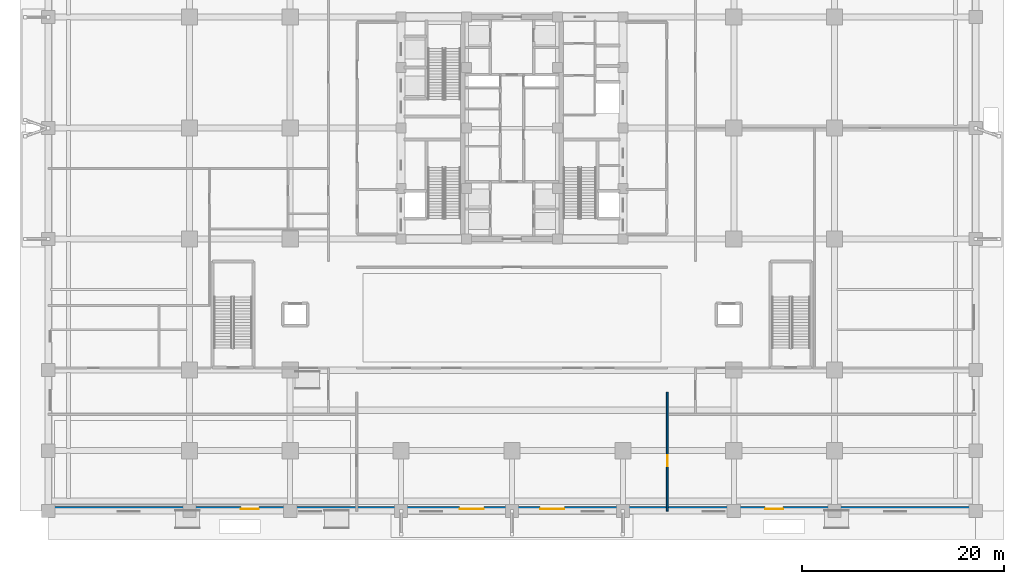
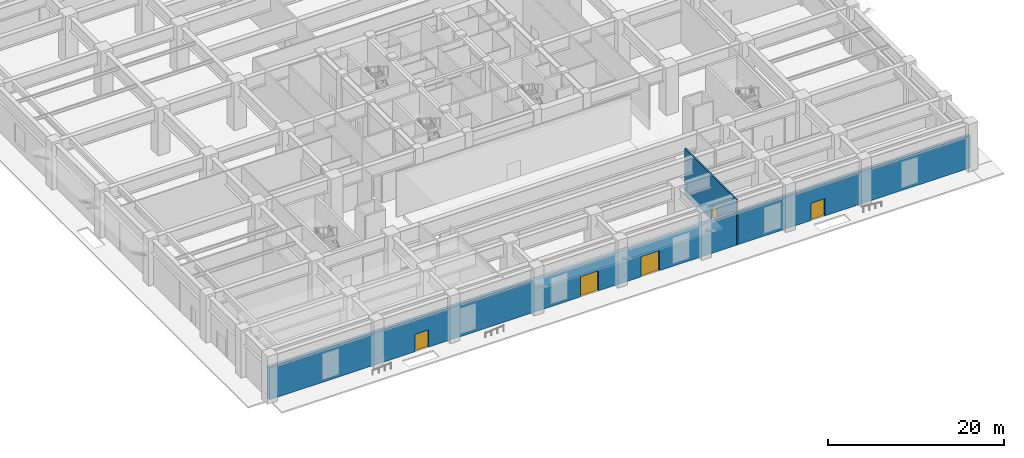
# One storey, part 7 of 21: 5 doors, 2 walls, 5 openings.
"""IFC4 building model written with IfcOpenShell, lengths in metres."""

import ifcopenshell
import ifcopenshell.guid

model = None  # the IFC model being written
_history = None  # IfcOwnerHistory: only IFC2X3 demands one
_inside = {}  # id of a spatial element -> (the spatial element, [elements in it])
_under = {}  # id of a project, library or spatial element -> (it, [spatial elements below it])
_declared = {}  # id of a project -> (the project, [libraries it declares])
_typed = {}  # id of a type object -> (the type object, [elements of that type])
_made_of = {}  # id of a material, layer set ... -> (it, [elements and type objects made of it])


def new_model(schema):
    """Start an empty IFC model of exactly this schema.

    Asked for "IFC4X3", IfcOpenShell would pick the latest addendum, in which some entities
    have other attributes; the version numbers below select the first issue.
    IFC2X3 requires an IfcOwnerHistory on every rooted entity: one is made here for all.
    """
    global model, _history
    if schema == "IFC4X3":
        model = ifcopenshell.file(schema_version=(4, 3, 0, 0))
    else:
        model = ifcopenshell.file(schema=schema)
    _inside.clear()
    _under.clear()
    _declared.clear()
    _typed.clear()
    _made_of.clear()
    _history = None
    if model.schema == "IFC2X3":
        org = make("IfcOrganization", Name="unknown")
        user = make(
            "IfcPersonAndOrganization",
            ThePerson=make("IfcPerson", FamilyName="unknown"),
            TheOrganization=org,
        )
        app = make(
            "IfcApplication",
            ApplicationDeveloper=org,
            Version="unknown",
            ApplicationFullName="unknown",
            ApplicationIdentifier="unknown",
        )
        _history = make(
            "IfcOwnerHistory",
            OwningUser=user,
            OwningApplication=app,
            ChangeAction="ADDED",
            CreationDate=0,
        )
    return model


def make(cls, **values):
    """One entity of the class cls with the attributes given. An attribute that is None is left unset."""
    return model.create_entity(
        cls, **{name: value for name, value in values.items() if value is not None}
    )


def rooted(cls, **values):
    """An entity with a GlobalId (a new one), such as an element, a storey or a relation."""
    return make(cls, GlobalId=ifcopenshell.guid.new(), OwnerHistory=_history, **values)


def si_unit(unit_type, name, prefix=None):
    """IfcSIUnit, for example si_unit("LENGTHUNIT", "METRE", prefix="MILLI")."""
    return make("IfcSIUnit", UnitType=unit_type, Prefix=prefix, Name=name)


def assignment(units):
    """IfcUnitAssignment: the units of a project."""
    return None if units is None else make("IfcUnitAssignment", Units=units)


def point(xyz):
    """IfcCartesianPoint."""
    return None if xyz is None else make("IfcCartesianPoint", Coordinates=xyz)


def direction(xyz):
    """IfcDirection."""
    return None if xyz is None else make("IfcDirection", DirectionRatios=xyz)


def frame(location, z_axis=None, x_axis=None):
    """IfcAxis2Placement3D, a coordinate frame: its origin and axes. An axis left out is left unset."""
    return make(
        "IfcAxis2Placement3D",
        Location=point(location),
        Axis=direction(z_axis),
        RefDirection=direction(x_axis),
    )


def frame_2d(location, x_axis=None):
    """IfcAxis2Placement2D, a coordinate frame in the plane: its origin and x axis."""
    return make(
        "IfcAxis2Placement2D", Location=point(location), RefDirection=direction(x_axis)
    )


def origin():
    """The frame at (0, 0, 0) with its axes left unset."""
    return frame((0.0, 0.0, 0.0))


def place(relative_to, where):
    """IfcLocalPlacement: puts the frame where relative to a parent placement (None: the world)."""
    return make(
        "IfcLocalPlacement", PlacementRelTo=relative_to, RelativePlacement=where
    )


def context(
    kind, dimensions, precision=None, world=None, true_north=None, identifier=None
):
    """IfcGeometricRepresentationContext, for example the 3D "Model" context."""
    return make(
        "IfcGeometricRepresentationContext",
        ContextIdentifier=identifier,
        ContextType=kind,
        CoordinateSpaceDimension=dimensions,
        Precision=precision,
        WorldCoordinateSystem=world,
        TrueNorth=true_north,
    )


def subcontext(parent, identifier, kind, view, scale=None):
    """IfcGeometricRepresentationSubContext, for example "Body" below "Model"."""
    return make(
        "IfcGeometricRepresentationSubContext",
        ContextIdentifier=identifier,
        ContextType=kind,
        ParentContext=parent,
        TargetScale=scale,
        TargetView=view,
    )


def project(units=None, contexts=None):
    """IfcProject with its units and contexts."""
    return rooted(
        "IfcProject",
        Name="project",
        RepresentationContexts=contexts,
        UnitsInContext=assignment(units),
    )


def spatial(cls, under=None, at=None, **own):
    """A site, building, storey or space (cls), placed at a placement, below another one or the project."""
    s = rooted(cls, ObjectPlacement=at, **own)
    if under is not None:
        _under.setdefault(under.id(), (under, []))[1].append(s)
    return s


def profile(cls, at=None, kind="AREA", **sizes):
    """A parametric profile (cls). Its sizes go by their IFC names, for example OverallWidth=200.0."""
    return make(cls, ProfileType=kind, Position=at, **sizes)


def rectangle(**sizes):
    """IfcRectangleProfileDef."""
    return profile("IfcRectangleProfileDef", **sizes)


def extrude(swept, where, along, depth):
    """IfcExtrudedAreaSolid: the profile swept, set in the frame where, extruded along a direction by depth."""
    return make(
        "IfcExtrudedAreaSolid",
        SweptArea=swept,
        Position=where,
        ExtrudedDirection=direction(along),
        Depth=depth,
    )


def shape(context_of_items, identifier, shape_type, items):
    """IfcShapeRepresentation: the items that make up one representation, for example the "Body"."""
    return make(
        "IfcShapeRepresentation",
        ContextOfItems=context_of_items,
        RepresentationIdentifier=identifier,
        RepresentationType=shape_type,
        Items=items,
    )


def source(mapping_origin, context_of_items, identifier, shape_type, items):
    """IfcRepresentationMap: a shape defined once, which mapped items show again and again."""
    return make(
        "IfcRepresentationMap",
        MappingOrigin=mapping_origin,
        MappedRepresentation=shape(context_of_items, identifier, shape_type, items),
    )


def transform(
    local_origin,
    x_axis=None,
    y_axis=None,
    z_axis=None,
    scale=None,
    scale2=None,
    scale3=None,
    uniform=True,
):
    """IfcCartesianTransformationOperator3D, or its non-uniform kind. x_axis, y_axis, z_axis: its Axis1, 2, 3."""
    if uniform:
        return make(
            "IfcCartesianTransformationOperator3D",
            Axis1=direction(x_axis),
            Axis2=direction(y_axis),
            LocalOrigin=point(local_origin),
            Scale=scale,
            Axis3=direction(z_axis),
        )
    return make(
        "IfcCartesianTransformationOperator3DnonUniform",
        Axis1=direction(x_axis),
        Axis2=direction(y_axis),
        LocalOrigin=point(local_origin),
        Scale=scale,
        Axis3=direction(z_axis),
        Scale2=scale2,
        Scale3=scale3,
    )


def mapped(mapping_source, mapping_target):
    """IfcMappedItem: shows the shape of a source again, moved by a transform."""
    return make(
        "IfcMappedItem", MappingSource=mapping_source, MappingTarget=mapping_target
    )


def material(Name=None, Category=None):
    """IfcMaterial."""
    return make("IfcMaterial", Name=Name, Category=Category)


def layer(
    of_material, thickness, ventilated=None, Name=None, Category=None, Priority=None
):
    """IfcMaterialLayer: one layer of a wall or slab, of a material (None: an air gap)."""
    return make(
        "IfcMaterialLayer",
        Material=of_material,
        LayerThickness=thickness,
        IsVentilated=ventilated,
        Name=Name,
        Category=Category,
        Priority=Priority,
    )


def layer_set(layers, Name=None):
    """IfcMaterialLayerSet."""
    return make("IfcMaterialLayerSet", MaterialLayers=layers, LayerSetName=Name)


def made_of(thing, what):
    """Note that an element or type object is made of a material, layer set ...; save() writes the relation."""
    if what is not None:
        _made_of.setdefault(what.id(), (what, []))[1].append(thing)
    return thing


def type_object(cls, material=None, **own):
    """A type object (cls), such as IfcWallType, which elements share."""
    return made_of(rooted(cls, **own), material)


def element(
    cls,
    number,
    at=None,
    inside=None,
    cuts=None,
    type_object=None,
    material=None,
    context=None,
    identifier="Body",
    shape_type=None,
    held_by="IfcProductDefinitionShape",
    body=None,
    shapes=None,
    **own,
):
    """One element of the class cls, such as IfcWall. Its Tag is "e" and its number.

    at: its placement. inside: the storey or other place that contains it. cuts: it is an
    opening in that element (IfcRelVoidsElement). A single representation is given by context,
    identifier, shape_type and body (its items); several are given by shapes. held_by: the class
    of the entity that holds the representations. save() writes the other relations.
    """
    e = rooted(cls, Tag="e%d" % number, ObjectPlacement=at, **own)
    if body is not None:
        shapes = [shape(context, identifier, shape_type, body)]
    if shapes is not None:
        e.Representation = make(held_by, Representations=shapes)
    if inside is not None:
        _inside.setdefault(inside.id(), (inside, []))[1].append(e)
    if cuts is not None:
        rooted(
            "IfcRelVoidsElement", RelatingBuildingElement=cuts, RelatedOpeningElement=e
        )
    if type_object is not None:
        _typed.setdefault(type_object.id(), (type_object, []))[1].append(e)
    return made_of(e, material)


def fill(opening, filler):
    """IfcRelFillsElement: the door or window that sits in an opening."""
    return rooted(
        "IfcRelFillsElement",
        RelatingOpeningElement=opening,
        RelatedBuildingElement=filler,
    )


def aggregate(whole, parts):
    """IfcRelAggregates: a whole, such as a stair, and the parts it consists of."""
    return rooted("IfcRelAggregates", RelatingObject=whole, RelatedObjects=parts)


def save(model, path):
    """Write the relations noted so far, then the file.

    IfcRelAggregates (storeys below a building ...), IfcRelContainedInSpatialStructure (elements
    in a storey), IfcRelDefinesByType, IfcRelAssociatesMaterial and IfcRelDeclares: one each for
    every whole, place, type object, material and project.
    """
    for whole, parts in _under.values():
        aggregate(whole, parts)
    for where, things in _inside.values():
        rooted(
            "IfcRelContainedInSpatialStructure",
            RelatedElements=things,
            RelatingStructure=where,
        )
    for kind, things in _typed.values():
        rooted("IfcRelDefinesByType", RelatedObjects=things, RelatingType=kind)
    for what, things in _made_of.values():
        rooted("IfcRelAssociatesMaterial", RelatedObjects=things, RelatingMaterial=what)
    for by, libraries in _declared.values():
        rooted("IfcRelDeclares", RelatingContext=by, RelatedDefinitions=libraries)
    model.write(path)


model = new_model("IFC4")

# Units and contexts
model_context = context("Model", 3, precision=1e-05, world=origin(), true_north=direction((0.0, 1.0)))
body_context = subcontext(model_context, "Body", "Model", "MODEL_VIEW")
ifc_project = project(units=[si_unit("LENGTHUNIT", "METRE"), si_unit("AREAUNIT", "SQUARE_METRE"), si_unit("VOLUMEUNIT", "CUBIC_METRE"), si_unit("PLANEANGLEUNIT", "RADIAN"), si_unit("MASSUNIT", "GRAM", prefix="KILO")], contexts=[model_context])

# Site, building, storey
site_placement = place(None, origin())
site = spatial("IfcSite", under=ifc_project, at=site_placement, CompositionType="ELEMENT")
building_placement = place(site_placement, origin())
building = spatial("IfcBuilding", under=site, at=building_placement, Name="Khorayat Bourse Tower", CompositionType="ELEMENT")
storey_placement = place(building_placement, origin())
storey = spatial("IfcBuildingStorey", under=building, at=storey_placement, Name="L00", CompositionType="ELEMENT", Elevation=0.0)

# Wall, openings, doors
ifc_material_1 = material(Name="Omani desert limestone masonry", Category="masonry")
ifc_layer_1 = layer(ifc_material_1, 0.449951171875)
ifc_layer_set_1 = layer_set([ifc_layer_1], Name="Omani desert limestone masonry")
wall_type_1 = type_object("IfcWallType", Name="WAL-EXT-IWAN-450", PredefinedType="STANDARD", material=ifc_layer_set_1)
shared_shape_1 = source(origin(), body_context, "Body", "SweptSolid", [
    extrude(rectangle(XDim=92.0, YDim=0.449951171875, at=frame_2d((46.0, 0.0))), origin(), (0.0, 0.0, 1.0), 4.47998046875),
])
wall_1_placement = place(storey_placement, frame((46.0, -37.77490234375, 0.0), z_axis=(0.0, 0.0, 1.0), x_axis=(-1.0, 0.0, 0.0)))
wall_1 = element("IfcWall", 1, at=wall_1_placement, inside=storey, type_object=wall_type_1, Name="L00 Exterior Limestone Wall WAL-L00-EXT-SF", PredefinedType="STANDARD", context=body_context, shape_type="MappedRepresentation", body=[
    mapped(shared_shape_1, transform((0.0, 0.0, 0.0), scale=1.0)),
])
shared_shape_2 = source(origin(), body_context, "Body", "SweptSolid", [
    extrude(rectangle(XDim=2.39990234375, YDim=2.800048828125, at=frame_2d((1.199951171875, 1.39990234375))), frame((0.0, 0.23486328125, 0.0), z_axis=(0.0, -1.0, 0.0), x_axis=(1.0, 0.0, 0.0)), (0.0, 0.0, 1.0), 0.469970703125),
])
opening_1_placement = place(wall_1_placement, frame((48.800048828125, 0.0, 0.0)))
opening_1 = element("IfcOpeningElement", 2, at=opening_1_placement, cuts=wall_1, Name="Opening DE-01", PredefinedType="OPENING", context=body_context, shape_type="MappedRepresentation", body=[
    mapped(shared_shape_2, transform((0.0, 0.0, 0.0), scale=1.0)),
])
opening_2_placement = place(wall_1_placement, frame((40.800048828125, 0.0, 0.0)))
opening_2 = element("IfcOpeningElement", 3, at=opening_2_placement, cuts=wall_1, Name="Opening DE-01", PredefinedType="OPENING", context=body_context, shape_type="MappedRepresentation", body=[
    mapped(shared_shape_2, transform((0.0, 0.0, 0.0), scale=1.0)),
])
shared_shape_3 = source(origin(), body_context, "Body", "SweptSolid", [
    extrude(rectangle(XDim=1.800048828125, YDim=2.39990234375, at=frame_2d((0.89990234375, 1.199951171875))), frame((0.0, 0.23486328125, 0.0), z_axis=(0.0, -1.0, 0.0), x_axis=(1.0, 0.0, 0.0)), (0.0, 0.0, 1.0), 0.469970703125),
])
opening_3_placement = place(wall_1_placement, frame((71.10009765625, 0.0, 0.0)))
opening_3 = element("IfcOpeningElement", 4, at=opening_3_placement, cuts=wall_1, Name="Opening DE-03", PredefinedType="OPENING", context=body_context, shape_type="MappedRepresentation", body=[
    mapped(shared_shape_3, transform((0.0, 0.0, 0.0), scale=1.0)),
])
opening_4_placement = place(wall_1_placement, frame((19.10009765625, 0.0, 0.0)))
opening_4 = element("IfcOpeningElement", 5, at=opening_4_placement, cuts=wall_1, Name="Opening DE-03", PredefinedType="OPENING", context=body_context, shape_type="MappedRepresentation", body=[
    mapped(shared_shape_3, transform((0.0, 0.0, 0.0), scale=1.0)),
])
ifc_material_2 = material(Name="Anodised bronze aluminium and laminated glass", Category="aluminium")
door_type_1 = type_object("IfcDoorType", Name="DR-EXT-IWAN-2400", OperationType="NOTDEFINED", PredefinedType="DOOR", material=ifc_material_2)
shared_shape_4 = source(origin(), body_context, "Body", "SweptSolid", [
    extrude(rectangle(XDim=2.39990234375, YDim=2.800048828125, at=frame_2d((1.199951171875, 1.39990234375))), frame((0.0, 0.02490234375, 0.0), z_axis=(0.0, -1.0, 0.0), x_axis=(1.0, 0.0, 0.0)), (0.0, 0.0, 1.0), 0.050048828125),
])
door_1_placement = place(opening_1_placement, origin())
door_1 = element("IfcDoor", 6, at=door_1_placement, inside=storey, type_object=door_type_1, Name="L00 South Ceremonial Iwan Portal West", OperationType="DOUBLE_DOOR_SINGLE_SWING", OverallHeight=2.800048828125, OverallWidth=2.39990234375, PredefinedType="DOOR", context=body_context, shape_type="MappedRepresentation", body=[
    mapped(shared_shape_4, transform((0.0, 0.0, 0.0), scale=1.0)),
])
fill(opening_1, door_1)
door_2_placement = place(opening_2_placement, origin())
door_2 = element("IfcDoor", 7, at=door_2_placement, inside=storey, type_object=door_type_1, Name="L00 South Ceremonial Iwan Portal East", OperationType="DOUBLE_DOOR_SINGLE_SWING", OverallHeight=2.800048828125, OverallWidth=2.39990234375, PredefinedType="DOOR", context=body_context, shape_type="MappedRepresentation", body=[
    mapped(shared_shape_4, transform((0.0, 0.0, 0.0), scale=1.0)),
])
fill(opening_2, door_2)
ifc_material_3 = material(Name="Anodised aluminium glazed leaf", Category="aluminium")
door_type_2 = type_object("IfcDoorType", Name="DR-EXT-SHOP-1800", OperationType="NOTDEFINED", PredefinedType="DOOR", material=ifc_material_3)
shared_shape_5 = source(origin(), body_context, "Body", "SweptSolid", [
    extrude(rectangle(XDim=1.800048828125, YDim=2.39990234375, at=frame_2d((0.89990234375, 1.199951171875))), frame((0.0, 0.02490234375, 0.0), z_axis=(0.0, -1.0, 0.0), x_axis=(1.0, 0.0, 0.0)), (0.0, 0.0, 1.0), 0.050048828125),
])
door_3_placement = place(opening_3_placement, origin())
door_3 = element("IfcDoor", 8, at=door_3_placement, inside=storey, type_object=door_type_2, Name="L00 West Retail Street Entrance", OperationType="SINGLE_SWING_LEFT", OverallHeight=2.39990234375, OverallWidth=1.800048828125, PredefinedType="DOOR", context=body_context, shape_type="MappedRepresentation", body=[
    mapped(shared_shape_5, transform((0.0, 0.0, 0.0), scale=1.0)),
])
fill(opening_3, door_3)
door_4_placement = place(opening_4_placement, origin())
door_4 = element("IfcDoor", 9, at=door_4_placement, inside=storey, type_object=door_type_2, Name="L00 East Retail Street Entrance", OperationType="SINGLE_SWING_RIGHT", OverallHeight=2.39990234375, OverallWidth=1.800048828125, PredefinedType="DOOR", context=body_context, shape_type="MappedRepresentation", body=[
    mapped(shared_shape_5, transform((0.0, 0.0, 0.0), scale=1.0)),
])
fill(opening_4, door_4)

# Wall, opening, door
ifc_material_4 = material(Name="Gypsum plasterboard acoustic stud wall")
ifc_layer_2 = layer(ifc_material_4, 0.179931640625)
ifc_layer_set_2 = layer_set([ifc_layer_2], Name="Gypsum plasterboard acoustic stud wall")
wall_type_2 = type_object("IfcWallType", Name="WAL-PART-CORR-180", PredefinedType="PARTITIONING", material=ifc_layer_set_2)
shared_shape_6 = source(origin(), body_context, "Body", "SweptSolid", [
    extrude(rectangle(XDim=11.800048828125, YDim=0.179931640625, at=frame_2d((5.89990234375, 0.0))), origin(), (0.0, 0.0, 1.0), 6.280029296875),
])
wall_2_placement = place(storey_placement, frame((15.39990234375, -38.0, 0.0), z_axis=(0.0, 0.0, 1.0), x_axis=(0.0, 1.0, 0.0)))
wall_2 = element("IfcWall", 10, at=wall_2_placement, inside=storey, type_object=wall_type_2, Name="L00 Partition WAL-L00-IWAN-E", PredefinedType="PARTITIONING", context=body_context, shape_type="MappedRepresentation", body=[
    mapped(shared_shape_6, transform((0.0, 0.0, 0.0), scale=1.0)),
])
shared_shape_7 = source(origin(), body_context, "Body", "SweptSolid", [
    extrude(rectangle(XDim=1.050048828125, YDim=2.199951171875, at=frame_2d((0.52490234375, 1.10009765625))), frame((0.0, 0.099853515625, 0.0), z_axis=(0.0, -1.0, 0.0), x_axis=(1.0, 0.0, 0.0)), (0.0, 0.0, 1.0), 0.199951171875),
])
opening_5_placement = place(wall_2_placement, frame((4.47509765625, 0.0, 0.0)))
opening_5 = element("IfcOpeningElement", 11, at=opening_5_placement, cuts=wall_2, Name="Opening DI-04", PredefinedType="OPENING", context=body_context, shape_type="MappedRepresentation", body=[
    mapped(shared_shape_7, transform((0.0, 0.0, 0.0), scale=1.0)),
])
ifc_material_5 = material(Name="Fire-rated oak veneer suite entrance door")
door_type_3 = type_object("IfcDoorType", Name="DR-INT-SUITE-1050", OperationType="NOTDEFINED", PredefinedType="DOOR", material=ifc_material_5)
shared_shape_8 = source(origin(), body_context, "Body", "SweptSolid", [
    extrude(rectangle(XDim=1.050048828125, YDim=2.199951171875, at=frame_2d((0.52490234375, 1.10009765625))), frame((0.0, 0.02490234375, 0.0), z_axis=(0.0, -1.0, 0.0), x_axis=(1.0, 0.0, 0.0)), (0.0, 0.0, 1.0), 0.050048828125),
])
door_5_placement = place(opening_5_placement, origin())
door_5 = element("IfcDoor", 12, at=door_5_placement, inside=storey, type_object=door_type_3, Name="L00 East Retail Foyer Door", OperationType="SINGLE_SWING_RIGHT", OverallHeight=2.199951171875, OverallWidth=1.050048828125, PredefinedType="DOOR", context=body_context, shape_type="MappedRepresentation", body=[
    mapped(shared_shape_8, transform((0.0, 0.0, 0.0), scale=1.0)),
])
fill(opening_5, door_5)

save(model, "model.ifc")
